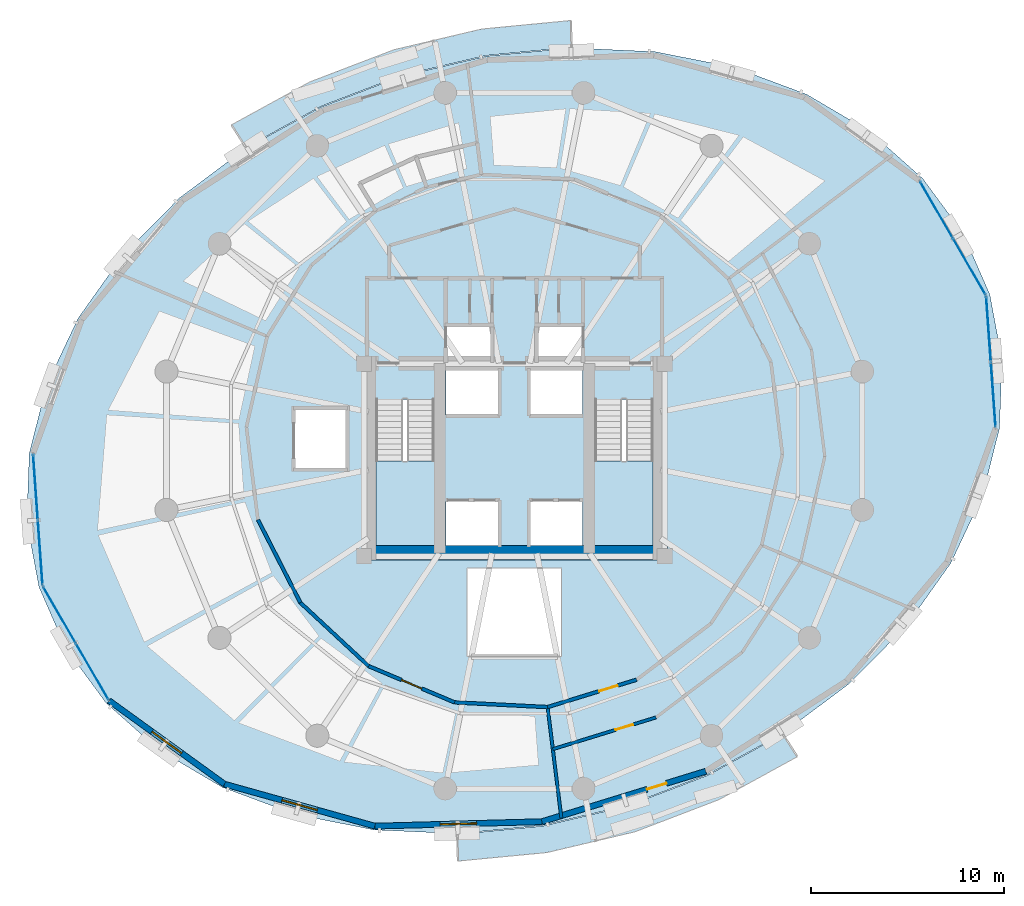
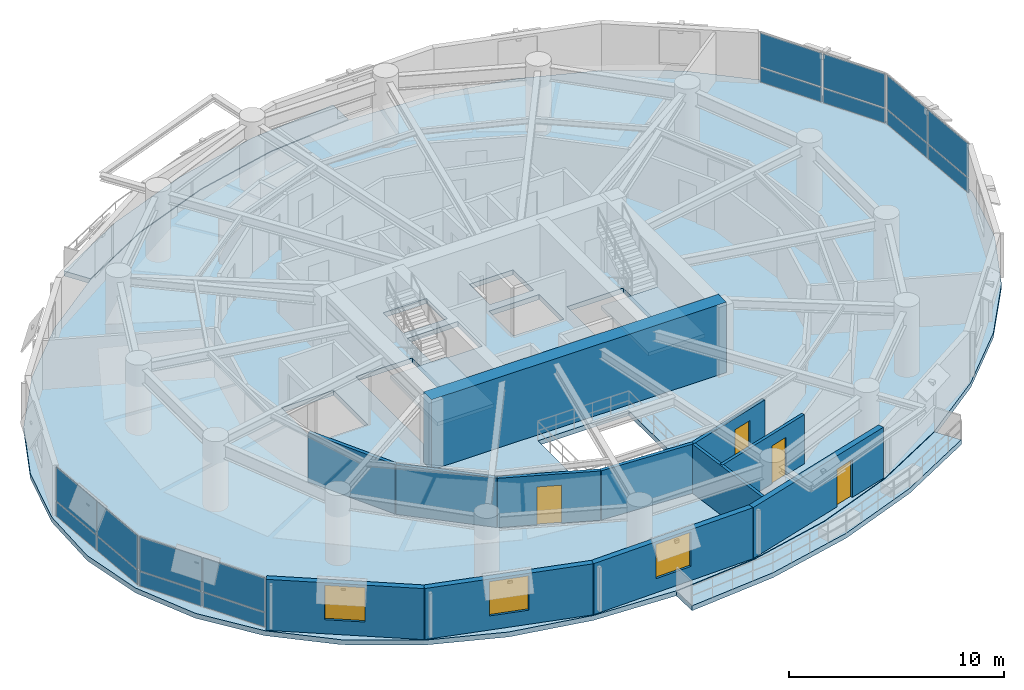
# One storey, part 9 of 15: 16 plates, 12 walls, 5 slabs, 4 doors, 3 windows, 7 openings, 6 elements without a shape of their own.
"""IFC4 building model written with IfcOpenShell, lengths in metres."""

from ifc_helpers import new_model, si_unit, direction, frame, frame_2d, origin, origin_2d, place, context, subcontext, project, spatial, polyline, rectangle, outline, extrude, material, layer, layer_set, type_object, element, fill, aggregate, save


model = new_model("IFC4")

# Units and contexts
model_context = context("Model", 3, precision=1e-05, world=origin(), true_north=direction((0.0, 1.0)))
body_context = subcontext(model_context, "Body", "Model", "MODEL_VIEW")
ifc_project = project(units=[si_unit("LENGTHUNIT", "METRE"), si_unit("AREAUNIT", "SQUARE_METRE"), si_unit("VOLUMEUNIT", "CUBIC_METRE"), si_unit("PLANEANGLEUNIT", "RADIAN"), si_unit("MASSUNIT", "GRAM", prefix="KILO"), si_unit("THERMODYNAMICTEMPERATUREUNIT", "KELVIN"), si_unit("POWERUNIT", "WATT")], contexts=[model_context])

# Site, building, storey
site_placement = place(None, origin())
site = spatial("IfcSite", under=ifc_project, at=site_placement, CompositionType="ELEMENT")
building_placement = place(site_placement, origin())
building = spatial("IfcBuilding", under=site, at=building_placement, Name="Ocrelia Relay Tower", CompositionType="ELEMENT")
storey_placement = place(building_placement, frame((0.0, 0.0, 105.800048828125)))
storey = spatial("IfcBuildingStorey", under=building, at=storey_placement, Name="L24", CompositionType="ELEMENT", Elevation=105.800048828125)

# Curtain wall, plates
ifc_material_1 = material(Name="Aluminium and solar-control low-E glass", Category="aluminium")
ifc_layer_1 = layer(ifc_material_1, 0.179931640625, Name="Aluminium and solar-control low-E glass")
ifc_layer_set_1 = layer_set([ifc_layer_1], Name="Aluminium and solar-control low-E glass")
curtain_wall_type = type_object("IfcCurtainWallType", Name="CW-SYS-Z2-SWIT", PredefinedType="NOTDEFINED", material=ifc_layer_set_1)
curtain_wall_1_placement = place(storey_placement, origin())
curtain_wall_1 = element("IfcCurtainWall", 1, at=curtain_wall_1_placement, inside=storey, type_object=curtain_wall_type, Name="L24 Elliptical Tower Curtain Wall Bay 01", PredefinedType="NOTDEFINED")
ifc_material_2 = material(Name="Clear double-glazed low-E glass", Category="glass")
ifc_layer_2 = layer(ifc_material_2, 0.031982421875, Name="Clear double-glazed low-E glass")
ifc_layer_set_2 = layer_set([ifc_layer_2], Name="Clear double-glazed low-E glass")
plate_type = type_object("IfcPlateType", Name="CW-SYS-Z2-SWIT-PNL", PredefinedType="CURTAIN_PANEL", material=ifc_layer_set_2)
plate_1_placement = place(storey_placement, frame((57.597900390625, 35.03076171875, 0.059814453125), z_axis=(0.0, 0.0, 1.0), x_axis=(-0.501042000832, 0.865422967919, 0.0)))
plate_1 = element("IfcPlate", 2, at=plate_1_placement, type_object=plate_type, Name="CW-Z2 panel 1.1", PredefinedType="CURTAIN_PANEL", context=body_context, shape_type="SweptSolid", body=[
    extrude(rectangle(XDim=3.33447265625, YDim=0.031982421875, at=origin_2d()), origin(), (0.0, 0.0, 1.0), 0.81005859375),
])
plate_2_placement = place(storey_placement, frame((57.597900390625, 35.03076171875, 0.93017578125), z_axis=(0.0, 0.0, 1.0), x_axis=(-0.501042000832, 0.865422967919, 0.0)))
plate_2 = element("IfcPlate", 3, at=plate_2_placement, type_object=plate_type, Name="CW-Z2 panel 1.2", PredefinedType="CURTAIN_PANEL", context=body_context, shape_type="SweptSolid", body=[
    extrude(rectangle(XDim=3.33447265625, YDim=0.031982421875, at=origin_2d()), origin(), (0.0, 0.0, 1.0), 1.909912109375),
])
plate_3_placement = place(storey_placement, frame((55.89208984375, 37.977294921875, 0.059814453125), z_axis=(0.0, 0.0, 1.0), x_axis=(-0.501042000832, 0.865422967919, 0.0)))
plate_3 = element("IfcPlate", 4, at=plate_3_placement, type_object=plate_type, Name="CW-Z2 panel 2.1", PredefinedType="CURTAIN_PANEL", context=body_context, shape_type="SweptSolid", body=[
    extrude(rectangle(XDim=3.33447265625, YDim=0.031982421875, at=origin_2d()), origin(), (0.0, 0.0, 1.0), 0.81005859375),
])
plate_4_placement = place(storey_placement, frame((55.89208984375, 37.977294921875, 0.93017578125), z_axis=(0.0, 0.0, 1.0), x_axis=(-0.501042000832, 0.865422967919, 0.0)))
plate_4 = element("IfcPlate", 5, at=plate_4_placement, type_object=plate_type, Name="CW-Z2 panel 2.2", PredefinedType="CURTAIN_PANEL", context=body_context, shape_type="SweptSolid", body=[
    extrude(rectangle(XDim=3.33447265625, YDim=0.031982421875, at=origin_2d()), origin(), (0.0, 0.0, 1.0), 1.909912109375),
])
aggregate(curtain_wall_1, [plate_1, plate_2, plate_3, plate_4])

curtain_wall_2_placement = place(storey_placement, origin())
curtain_wall_2 = element("IfcCurtainWall", 6, at=curtain_wall_2_placement, inside=storey, type_object=curtain_wall_type, Name="L24 Elliptical Tower Curtain Wall Bay 09", PredefinedType="NOTDEFINED")
plate_5_placement = place(storey_placement, frame((9.161376953125, 23.60107421875, 0.059814453125), z_axis=(0.0, 0.0, 1.0), x_axis=(0.072030099448, -0.997402458777, 0.0)))
plate_5 = element("IfcPlate", 7, at=plate_5_placement, type_object=plate_type, Name="CW-Z2 panel 1.1", PredefinedType="CURTAIN_PANEL", context=body_context, shape_type="SweptSolid", body=[
    extrude(rectangle(XDim=3.33447265625, YDim=0.031982421875, at=origin_2d()), origin(), (0.0, 0.0, 1.0), 0.81005859375),
])
plate_6_placement = place(storey_placement, frame((9.161376953125, 23.60107421875, 0.93017578125), z_axis=(0.0, 0.0, 1.0), x_axis=(0.072030099448, -0.997402458777, 0.0)))
plate_6 = element("IfcPlate", 8, at=plate_6_placement, type_object=plate_type, Name="CW-Z2 panel 1.2", PredefinedType="CURTAIN_PANEL", context=body_context, shape_type="SweptSolid", body=[
    extrude(rectangle(XDim=3.33447265625, YDim=0.031982421875, at=origin_2d()), origin(), (0.0, 0.0, 1.0), 1.909912109375),
])
plate_7_placement = place(storey_placement, frame((9.406494140625, 20.205322265625, 0.059814453125), z_axis=(0.0, 0.0, 1.0), x_axis=(0.072030099448, -0.997402458777, 0.0)))
plate_7 = element("IfcPlate", 9, at=plate_7_placement, type_object=plate_type, Name="CW-Z2 panel 2.1", PredefinedType="CURTAIN_PANEL", context=body_context, shape_type="SweptSolid", body=[
    extrude(rectangle(XDim=3.33447265625, YDim=0.031982421875, at=origin_2d()), origin(), (0.0, 0.0, 1.0), 0.81005859375),
])
plate_8_placement = place(storey_placement, frame((9.406494140625, 20.205322265625, 0.93017578125), z_axis=(0.0, 0.0, 1.0), x_axis=(0.072030099448, -0.997402458777, 0.0)))
plate_8 = element("IfcPlate", 10, at=plate_8_placement, type_object=plate_type, Name="CW-Z2 panel 2.2", PredefinedType="CURTAIN_PANEL", context=body_context, shape_type="SweptSolid", body=[
    extrude(rectangle(XDim=3.33447265625, YDim=0.031982421875, at=origin_2d()), origin(), (0.0, 0.0, 1.0), 1.909912109375),
])
aggregate(curtain_wall_2, [plate_5, plate_6, plate_7, plate_8])

curtain_wall_3_placement = place(storey_placement, origin())
curtain_wall_3 = element("IfcCurtainWall", 11, at=curtain_wall_3_placement, inside=storey, type_object=curtain_wall_type, Name="L24 Elliptical Tower Curtain Wall Bay 10", PredefinedType="NOTDEFINED")
plate_9_placement = place(storey_placement, frame((10.402099609375, 16.96923828125, 0.059814453125), z_axis=(0.0, 0.0, 1.0), x_axis=(0.501042000832, -0.865422967919, 0.0)))
plate_9 = element("IfcPlate", 12, at=plate_9_placement, type_object=plate_type, Name="CW-Z2 panel 1.1", PredefinedType="CURTAIN_PANEL", context=body_context, shape_type="SweptSolid", body=[
    extrude(rectangle(XDim=3.33447265625, YDim=0.031982421875, at=origin_2d()), origin(), (0.0, 0.0, 1.0), 0.81005859375),
])
plate_10_placement = place(storey_placement, frame((10.402099609375, 16.96923828125, 0.93017578125), z_axis=(0.0, 0.0, 1.0), x_axis=(0.501042000832, -0.865422967919, 0.0)))
plate_10 = element("IfcPlate", 13, at=plate_10_placement, type_object=plate_type, Name="CW-Z2 panel 1.2", PredefinedType="CURTAIN_PANEL", context=body_context, shape_type="SweptSolid", body=[
    extrude(rectangle(XDim=3.33447265625, YDim=0.031982421875, at=origin_2d()), origin(), (0.0, 0.0, 1.0), 1.909912109375),
])
plate_11_placement = place(storey_placement, frame((12.10791015625, 14.022705078125, 0.059814453125), z_axis=(0.0, 0.0, 1.0), x_axis=(0.501042000832, -0.865422967919, 0.0)))
plate_11 = element("IfcPlate", 14, at=plate_11_placement, type_object=plate_type, Name="CW-Z2 panel 2.1", PredefinedType="CURTAIN_PANEL", context=body_context, shape_type="SweptSolid", body=[
    extrude(rectangle(XDim=3.33447265625, YDim=0.031982421875, at=origin_2d()), origin(), (0.0, 0.0, 1.0), 0.81005859375),
])
plate_12_placement = place(storey_placement, frame((12.10791015625, 14.022705078125, 0.93017578125), z_axis=(0.0, 0.0, 1.0), x_axis=(0.501042000832, -0.865422967919, 0.0)))
plate_12 = element("IfcPlate", 15, at=plate_12_placement, type_object=plate_type, Name="CW-Z2 panel 2.2", PredefinedType="CURTAIN_PANEL", context=body_context, shape_type="SweptSolid", body=[
    extrude(rectangle(XDim=3.33447265625, YDim=0.031982421875, at=origin_2d()), origin(), (0.0, 0.0, 1.0), 1.909912109375),
])
aggregate(curtain_wall_3, [plate_9, plate_10, plate_11, plate_12])

curtain_wall_4_placement = place(storey_placement, origin())
curtain_wall_4 = element("IfcCurtainWall", 16, at=curtain_wall_4_placement, inside=storey, type_object=curtain_wall_type, Name="L24 Elliptical Tower Curtain Wall Bay 18", PredefinedType="NOTDEFINED")
plate_13_placement = place(storey_placement, frame((58.838623046875, 28.39892578125, 0.059814453125), z_axis=(0.0, 0.0, 1.0), x_axis=(-0.072030099448, 0.997402458777, 0.0)))
plate_13 = element("IfcPlate", 17, at=plate_13_placement, type_object=plate_type, Name="CW-Z2 panel 1.1", PredefinedType="CURTAIN_PANEL", context=body_context, shape_type="SweptSolid", body=[
    extrude(rectangle(XDim=3.33447265625, YDim=0.031982421875, at=origin_2d()), origin(), (0.0, 0.0, 1.0), 0.81005859375),
])
plate_14_placement = place(storey_placement, frame((58.838623046875, 28.39892578125, 0.93017578125), z_axis=(0.0, 0.0, 1.0), x_axis=(-0.072030099448, 0.997402458777, 0.0)))
plate_14 = element("IfcPlate", 18, at=plate_14_placement, type_object=plate_type, Name="CW-Z2 panel 1.2", PredefinedType="CURTAIN_PANEL", context=body_context, shape_type="SweptSolid", body=[
    extrude(rectangle(XDim=3.33447265625, YDim=0.031982421875, at=origin_2d()), origin(), (0.0, 0.0, 1.0), 1.909912109375),
])
plate_15_placement = place(storey_placement, frame((58.593505859375, 31.794677734375, 0.059814453125), z_axis=(0.0, 0.0, 1.0), x_axis=(-0.072030099448, 0.997402458777, 0.0)))
plate_15 = element("IfcPlate", 19, at=plate_15_placement, type_object=plate_type, Name="CW-Z2 panel 2.1", PredefinedType="CURTAIN_PANEL", context=body_context, shape_type="SweptSolid", body=[
    extrude(rectangle(XDim=3.33447265625, YDim=0.031982421875, at=origin_2d()), origin(), (0.0, 0.0, 1.0), 0.81005859375),
])
plate_16_placement = place(storey_placement, frame((58.593505859375, 31.794677734375, 0.93017578125), z_axis=(0.0, 0.0, 1.0), x_axis=(-0.072030099448, 0.997402458777, 0.0)))
plate_16 = element("IfcPlate", 20, at=plate_16_placement, type_object=plate_type, Name="CW-Z2 panel 2.2", PredefinedType="CURTAIN_PANEL", context=body_context, shape_type="SweptSolid", body=[
    extrude(rectangle(XDim=3.33447265625, YDim=0.031982421875, at=origin_2d()), origin(), (0.0, 0.0, 1.0), 1.909912109375),
])
aggregate(curtain_wall_4, [plate_13, plate_14, plate_15, plate_16])

# Slabs
ifc_material_3 = material(Name="Precast concrete C40/50", Category="concrete")
ifc_layer_3 = layer(ifc_material_3, 0.280029296875, Name="Precast concrete C40/50")
ifc_layer_set_3 = layer_set([ifc_layer_3], Name="Precast concrete C40/50")
slab_type_1 = type_object("IfcSlabType", Name="SL-BALC-280", PredefinedType="FLOOR", material=ifc_layer_set_3)
slab_1_placement = place(storey_placement, frame((0.0, 0.0, -0.280029296875)))
element("IfcSlab", 21, at=slab_1_placement, inside=storey, type_object=slab_type_1, Name="L24 Planted Loggia Balcony B1", PredefinedType="FLOOR", context=body_context, shape_type="SweptSolid", body=[
    extrude(outline(polyline([(36.96240234375, 46.408203125), (34.7529296875, 46.1962890625), (32.543701171875, 45.984130859375), (28.169189453125, 44.953369140625), (23.9716796875, 43.34716796875), (22.025390625, 42.28076171875), (20.078857421875, 41.214111328125), (19.324951171875, 42.385986328125), (21.355712890625, 43.498779296875), (23.38671875, 44.611572265625), (27.759521484375, 46.284912109375), (32.31689453125, 47.35888671875), (34.6220703125, 47.579833984375), (36.92724609375, 47.801025390625), (36.96240234375, 46.408203125)])), origin(), (0.0, 0.0, 1.0), 0.280029296875),
])
slab_2_placement = place(storey_placement, frame((0.0, 0.0, -0.280029296875)))
element("IfcSlab", 22, at=slab_2_placement, inside=storey, type_object=slab_type_1, Name="L24 Planted Loggia Balcony B2", PredefinedType="FLOOR", context=body_context, shape_type="SweptSolid", body=[
    extrude(outline(polyline([(31.03759765625, 5.591796875), (33.2470703125, 5.8037109375), (35.456298828125, 6.015869140625), (39.830810546875, 7.046630859375), (44.0283203125, 8.65283203125), (45.974609375, 9.71923828125), (47.921142578125, 10.785888671875), (48.675048828125, 9.614013671875), (46.644287109375, 8.501220703125), (44.61328125, 7.388427734375), (40.240478515625, 5.715087890625), (35.68310546875, 4.64111328125), (33.3779296875, 4.419921875), (31.07275390625, 4.198974609375), (31.03759765625, 5.591796875)])), origin(), (0.0, 0.0, 1.0), 0.280029296875),
])
ifc_material_4 = material(Name="Concrete C50/60", Category="concrete")
ifc_layer_4 = layer(ifc_material_4, 0.280029296875, Name="Concrete C50/60")
ifc_layer_set_4 = layer_set([ifc_layer_4], Name="Concrete C50/60")
slab_type_2 = type_object("IfcSlabType", Name="SL-FLR-280", PredefinedType="FLOOR", material=ifc_layer_set_4)
slab_3_placement = place(storey_placement, frame((0.0, 0.0, -0.280029296875)))
element("IfcSlab", 23, at=slab_3_placement, inside=storey, type_object=slab_type_2, Name="L24 Elliptical Tower Floor Slab", PredefinedType="FLOOR", context=body_context, shape_type="SweptSolid", body=[
    extrude(outline(polyline([(58.659423828125, 33.586181640625), (57.273681640625, 36.757080078125), (55.18115234375, 39.601318359375), (52.444580078125, 42.0322265625), (49.14794921875, 43.97607421875), (45.390869140625, 45.37353515625), (41.28759765625, 46.182373046875), (36.963134765625, 46.3779296875), (32.548583984375, 45.95458984375), (28.177978515625, 44.9248046875), (23.984375, 43.31982421875), (20.09521484375, 41.188720703125), (16.62841796875, 38.59619140625), (13.689208984375, 35.620849609375), (11.367431640625, 32.353271484375), (9.7333984375, 28.892578125), (8.83642578125, 25.343994140625), (8.7041015625, 21.815185546875), (9.340576171875, 18.413818359375), (10.726318359375, 15.242919921875), (12.81884765625, 12.398681640625), (15.555419921875, 9.9677734375), (18.85205078125, 8.02392578125), (22.609130859375, 6.62646484375), (26.71240234375, 5.817626953125), (31.036865234375, 5.6220703125), (35.451416015625, 6.04541015625), (39.822021484375, 7.0751953125), (44.015625, 8.68017578125), (47.90478515625, 10.811279296875), (51.37158203125, 13.40380859375), (54.310791015625, 16.379150390625), (56.632568359375, 19.646728515625), (58.2666015625, 23.107421875), (59.16357421875, 26.656005859375), (59.2958984375, 30.184814453125), (58.659423828125, 33.586181640625)]), holes=[polyline([(26.81005859375, 28.14990234375), (26.81005859375, 20.550048828125), (29.85009765625, 20.550048828125), (29.85009765625, 28.14990234375), (26.81005859375, 28.14990234375)]), polyline([(38.159912109375, 28.14990234375), (38.159912109375, 20.550048828125), (41.199951171875, 20.550048828125), (41.199951171875, 28.14990234375), (38.159912109375, 28.14990234375)]), polyline([(30.4599609375, 20.550048828125), (33.159912109375, 20.550048828125), (33.159912109375, 22.85009765625), (30.4599609375, 22.85009765625), (30.4599609375, 20.550048828125)]), polyline([(34.840087890625, 20.550048828125), (37.5400390625, 20.550048828125), (37.5400390625, 22.85009765625), (34.840087890625, 22.85009765625), (34.840087890625, 20.550048828125)]), polyline([(30.4599609375, 27.35009765625), (33.159912109375, 27.35009765625), (33.159912109375, 29.64990234375), (30.4599609375, 29.64990234375), (30.4599609375, 27.35009765625)]), polyline([(34.840087890625, 27.35009765625), (37.5400390625, 27.35009765625), (37.5400390625, 29.64990234375), (34.840087890625, 29.64990234375), (34.840087890625, 27.35009765625)]), polyline([(30.5, 30.10009765625), (32.85009765625, 30.10009765625), (32.85009765625, 32.0), (30.5, 32.0), (30.5, 30.10009765625)]), polyline([(35.14990234375, 30.10009765625), (37.5, 30.10009765625), (37.5, 32.0), (35.14990234375, 32.0), (35.14990234375, 30.10009765625)]), polyline([(22.550048828125, 24.5), (25.35009765625, 24.5), (25.35009765625, 27.699951171875), (22.550048828125, 27.699951171875), (22.550048828125, 24.5)]), polyline([(31.550048828125, 14.800048828125), (36.449951171875, 14.800048828125), (36.449951171875, 19.39990234375), (31.550048828125, 19.39990234375), (31.550048828125, 14.800048828125)])]), origin(), (0.0, 0.0, 1.0), 0.280029296875),
])

# Stair, slab
stair_type = type_object("IfcStairType", Name="ST-DL-1420-R167", PredefinedType="HALF_TURN_STAIR", material=ifc_material_4)
stair_1_placement = place(storey_placement, origin())
stair_1 = element("IfcStair", 24, at=stair_1_placement, inside=storey, type_object=stair_type, Name="L24 West Core Exit Stair ST1", PredefinedType="HALF_TURN_STAIR")
ifc_layer_5 = layer(ifc_material_4, 0.199951171875, Name="Concrete C50/60")
ifc_layer_set_5 = layer_set([ifc_layer_5], Name="Concrete C50/60")
slab_type_3 = type_object("IfcSlabType", Name="SL-LANDING-200", PredefinedType="LANDING", material=ifc_layer_set_5)
slab_4_placement = place(storey_placement, frame((0.0, 0.0, 1.800048828125)))
slab_4 = element("IfcSlab", 25, at=slab_4_placement, type_object=slab_type_3, Name="ST1 landing 1", PredefinedType="LANDING", context=body_context, shape_type="SweptSolid", body=[
    extrude(outline(polyline([(26.81005859375, 24.9599609375), (26.81005859375, 20.550048828125), (29.85009765625, 20.550048828125), (29.85009765625, 24.9599609375), (26.81005859375, 24.9599609375)])), origin(), (0.0, 0.0, 1.0), 0.199951171875),
])
aggregate(stair_1, [slab_4])

stair_2_placement = place(storey_placement, origin())
stair_2 = element("IfcStair", 26, at=stair_2_placement, inside=storey, type_object=stair_type, Name="L24 East Core Exit Stair ST2", PredefinedType="HALF_TURN_STAIR")
slab_5_placement = place(storey_placement, frame((0.0, 0.0, 1.800048828125)))
slab_5 = element("IfcSlab", 27, at=slab_5_placement, type_object=slab_type_3, Name="ST2 landing 1", PredefinedType="LANDING", context=body_context, shape_type="SweptSolid", body=[
    extrude(outline(polyline([(38.159912109375, 24.9599609375), (38.159912109375, 20.550048828125), (41.199951171875, 20.550048828125), (41.199951171875, 24.9599609375), (38.159912109375, 24.9599609375)])), origin(), (0.0, 0.0, 1.0), 0.199951171875),
])
aggregate(stair_2, [slab_5])

# Walls
ifc_material_5 = material(Name="Concrete C60/75", Category="concrete")
ifc_layer_6 = layer(ifc_material_5, 0.75, Name="Concrete C60/75")
ifc_layer_set_6 = layer_set([ifc_layer_6], Name="Concrete C60/75")
wall_type_1 = type_object("IfcWallType", Name="CW-CORE-750", PredefinedType="SHEAR", material=ifc_layer_set_6)
wall_1_placement = place(storey_placement, frame((26.072021484375, 20.18701171875, 0.0), z_axis=(0.0, 0.0, 1.0), x_axis=(1.0, 0.0, 0.0)))
element("IfcWall", 28, at=wall_1_placement, inside=storey, type_object=wall_type_1, Name="L24 Core Shear Wall S", PredefinedType="SHEAR", context=body_context, shape_type="SweptSolid", body=[
    extrude(rectangle(XDim=15.865966796875, YDim=0.75, at=frame_2d((7.93310546875, 0.0))), origin(), (0.0, 0.0, 1.0), 4.0),
])
ifc_material_6 = material(Name="Gypsum Fireboard Partition EI60", Category="gypsum")
ifc_layer_7 = layer(ifc_material_6, 0.179931640625, Name="Gypsum Fireboard Partition EI60")
ifc_layer_set_7 = layer_set([ifc_layer_7], Name="Gypsum Fireboard Partition EI60")
wall_type_2 = type_object("IfcWallType", Name="W-CORR-EI60-180", PredefinedType="PARTITIONING", material=ifc_layer_set_7)
wall_2_placement = place(storey_placement, frame((20.6953125, 21.906982421875, 0.0), z_axis=(0.0, 0.0, 1.0), x_axis=(0.455556779265, -0.890206729286, 0.0)))
element("IfcWall", 29, at=wall_2_placement, inside=storey, type_object=wall_type_2, Name="L24 Optical Switching Hall A Corridor Partition 3", PredefinedType="PARTITIONING", context=body_context, shape_type="SweptSolid", body=[
    extrude(rectangle(XDim=4.83447265625, YDim=0.179931640625, at=frame_2d((2.417236328125, 0.0))), origin(), (0.0, 0.0, 1.0), 2.800048828125),
])
wall_3_placement = place(storey_placement, frame((22.897705078125, 17.603271484375, 0.0), z_axis=(0.0, 0.0, 1.0), x_axis=(0.732539820955, -0.680724181086, 0.0)))
element("IfcWall", 30, at=wall_3_placement, inside=storey, type_object=wall_type_2, Name="L24 Optical Switching Hall A Corridor Partition 4", PredefinedType="PARTITIONING", context=body_context, shape_type="SweptSolid", body=[
    extrude(rectangle(XDim=4.834228515625, YDim=0.179931640625, at=frame_2d((2.4169921875, 0.0))), origin(), (0.0, 0.0, 1.0), 2.800048828125),
])

# Wall, opening, door
wall_4_placement = place(storey_placement, frame((26.43896484375, 14.3125, 0.0), z_axis=(0.0, 0.0, 1.0), x_axis=(0.92119083755, -0.389111090583, 0.0)))
wall_4 = element("IfcWall", 31, at=wall_4_placement, inside=storey, type_object=wall_type_2, Name="L24 Optical Switching Hall A Corridor Partition 5", PredefinedType="PARTITIONING", context=body_context, shape_type="SweptSolid", body=[
    extrude(rectangle(XDim=4.83447265625, YDim=0.179931640625, at=frame_2d((2.417236328125, 0.0))), origin(), (0.0, 0.0, 1.0), 2.800048828125),
])
opening_1_placement = place(wall_4_placement, frame((1.84228515625, 0.0, 0.0)))
opening_1 = element("IfcOpeningElement", 32, at=opening_1_placement, cuts=wall_4, Name="Opening D-RM115", PredefinedType="OPENING", context=body_context, shape_type="SweptSolid", body=[
    extrude(rectangle(XDim=1.14990234375, YDim=2.14990234375, at=frame_2d((0.574951171875, 1.074951171875))), frame((0.0, 0.10009765625, 0.0), z_axis=(0.0, -1.0, 0.0), x_axis=(1.0, 0.0, 0.0)), (0.0, 0.0, 1.0), 0.199951171875),
])
ifc_material_7 = material(Name="Wide acoustic oak veneer fire door", Category="wood")
door_type_1 = type_object("IfcDoorType", Name="DR-ROOM-1150", OperationType="NOTDEFINED", PredefinedType="DOOR", material=ifc_material_7)
door_1_placement = place(opening_1_placement, origin())
door_1 = element("IfcDoor", 33, at=door_1_placement, inside=storey, type_object=door_type_1, Name="L24 Optical Switching Hall A Entrance Door", OperationType="SINGLE_SWING_LEFT", OverallHeight=2.14990234375, OverallWidth=1.14990234375, PredefinedType="DOOR", context=body_context, shape_type="SweptSolid", body=[
    extrude(rectangle(XDim=1.14990234375, YDim=2.14990234375, at=frame_2d((0.574951171875, 1.074951171875))), frame((0.0, 0.02490234375, 0.0), z_axis=(0.0, -1.0, 0.0), x_axis=(1.0, 0.0, 0.0)), (0.0, 0.0, 1.0), 0.050048828125),
])
fill(opening_1, door_1)

# Wall
wall_5_placement = place(storey_placement, frame((30.892333984375, 12.431396484375, 0.0), z_axis=(0.0, 0.0, 1.0), x_axis=(0.998718869606, -0.050602564085, 0.0)))
element("IfcWall", 34, at=wall_5_placement, inside=storey, type_object=wall_type_2, Name="L24 Optical Switching Hall A Corridor Partition 6", PredefinedType="PARTITIONING", context=body_context, shape_type="SweptSolid", body=[
    extrude(rectangle(XDim=4.834228515625, YDim=0.179931640625, at=frame_2d((2.4169921875, 0.0))), origin(), (0.0, 0.0, 1.0), 2.800048828125),
])

# Wall, opening, door
wall_6_placement = place(storey_placement, frame((35.720458984375, 12.186767578125, 0.0), z_axis=(0.0, 0.0, 1.0), x_axis=(0.955803026892, 0.294007778442, 0.0)))
wall_6 = element("IfcWall", 35, at=wall_6_placement, inside=storey, type_object=wall_type_2, Name="L24 Routing Office C Corridor Partition 1", PredefinedType="PARTITIONING", context=body_context, shape_type="SweptSolid", body=[
    extrude(rectangle(XDim=4.83447265625, YDim=0.179931640625, at=frame_2d((2.417236328125, 0.0))), origin(), (0.0, 0.0, 1.0), 2.800048828125),
])
opening_2_placement = place(wall_6_placement, frame((2.80078125, 0.0, 0.0)))
opening_2 = element("IfcOpeningElement", 36, at=opening_2_placement, cuts=wall_6, Name="Opening D-RM100", PredefinedType="OPENING", context=body_context, shape_type="SweptSolid", body=[
    extrude(rectangle(XDim=1.0, YDim=2.14990234375, at=frame_2d((0.5, 1.074951171875))), frame((0.0, 0.10009765625, 0.0), z_axis=(0.0, -1.0, 0.0), x_axis=(1.0, 0.0, 0.0)), (0.0, 0.0, 1.0), 0.199951171875),
])
ifc_material_8 = material(Name="Acoustic oak veneer fire door", Category="wood")
door_type_2 = type_object("IfcDoorType", Name="DR-ROOM-FD60-1000", OperationType="NOTDEFINED", PredefinedType="DOOR", material=ifc_material_8)
door_2_placement = place(opening_2_placement, origin())
door_2 = element("IfcDoor", 37, at=door_2_placement, inside=storey, type_object=door_type_2, Name="L24 Routing Office C Entrance Door", OperationType="SINGLE_SWING_RIGHT", OverallHeight=2.14990234375, OverallWidth=1.0, PredefinedType="DOOR", context=body_context, shape_type="SweptSolid", body=[
    extrude(rectangle(XDim=1.0, YDim=2.14990234375, at=frame_2d((0.5, 1.074951171875))), frame((0.0, 0.02490234375, 0.0), z_axis=(0.0, -1.0, 0.0), x_axis=(1.0, 0.0, 0.0)), (0.0, 0.0, 1.0), 0.050048828125),
])
fill(opening_2, door_2)

# Wall, opening, window
ifc_material_9 = material(Name="Precast concrete C40/50 with oxide terracotta", Category="masonry")
ifc_layer_8 = layer(ifc_material_9, 0.300048828125, Name="Precast concrete C40/50 with oxide terracotta")
ifc_layer_set_8 = layer_set([ifc_layer_8], Name="Precast concrete C40/50 with oxide terracotta")
wall_type_3 = type_object("IfcWallType", Name="W-EXT-TERR-300", PredefinedType="SOLIDWALL", material=ifc_layer_set_8)
wall_7_placement = place(storey_placement, frame((12.978515625, 12.519287109375, 0.0), z_axis=(0.0, 0.0, 1.0), x_axis=(0.810233431566, -0.586107316431, 0.0)))
wall_7 = element("IfcWall", 38, at=wall_7_placement, inside=storey, type_object=wall_type_3, Name="L24 Oxide Terracotta Facade Wall 11", PredefinedType="SOLIDWALL", context=body_context, shape_type="SweptSolid", body=[
    extrude(rectangle(XDim=7.38330078125, YDim=0.300048828125, at=frame_2d((3.691650390625, 0.0))), origin(), (0.0, 0.0, 1.0), 2.89990234375),
])
opening_3_placement = place(wall_7_placement, frame((2.741943359375, 0.0, 0.800048828125)))
opening_3 = element("IfcOpeningElement", 39, at=opening_3_placement, cuts=wall_7, Name="Opening W-06", PredefinedType="OPENING", context=body_context, shape_type="SweptSolid", body=[
    extrude(rectangle(XDim=1.89990234375, YDim=1.949951171875, at=frame_2d((0.949951171875, 0.97509765625))), frame((0.0, 0.16015625, 0.0), z_axis=(0.0, -1.0, 0.0), x_axis=(1.0, 0.0, 0.0)), (0.0, 0.0, 1.0), 0.320068359375),
])
window_type = type_object("IfcWindowType", Name="WIN-Z2-1900x2100", PartitioningType="DOUBLE_PANEL_VERTICAL", PredefinedType="WINDOW", material=ifc_material_2)
window_1_placement = place(opening_3_placement, origin())
window_1 = element("IfcWindow", 40, at=window_1_placement, inside=storey, type_object=window_type, Name="L24 Facade Module Window 11", OverallHeight=1.949951171875, OverallWidth=1.89990234375, PartitioningType="SINGLE_PANEL", PredefinedType="WINDOW", context=body_context, shape_type="SweptSolid", body=[
    extrude(rectangle(XDim=1.89990234375, YDim=1.949951171875, at=frame_2d((0.949951171875, 0.97509765625))), frame((0.0, 0.030029296875, 0.0), z_axis=(0.0, -1.0, 0.0), x_axis=(1.0, 0.0, 0.0)), (0.0, 0.0, 1.0), 0.06005859375),
])
fill(opening_3, window_1)

wall_8_placement = place(storey_placement, frame((18.960693359375, 8.19189453125, 0.0), z_axis=(0.0, 0.0, 1.0), x_axis=(0.963083265721, -0.269203683645, 0.0)))
wall_8 = element("IfcWall", 41, at=wall_8_placement, inside=storey, type_object=wall_type_3, Name="L24 Oxide Terracotta Facade Wall 12", PredefinedType="SOLIDWALL", context=body_context, shape_type="SweptSolid", body=[
    extrude(rectangle(XDim=8.094970703125, YDim=0.300048828125, at=frame_2d((4.04736328125, 0.0))), origin(), (0.0, 0.0, 1.0), 2.89990234375),
])
opening_4_placement = place(wall_8_placement, frame((3.097900390625, 0.0, 0.800048828125)))
opening_4 = element("IfcOpeningElement", 42, at=opening_4_placement, cuts=wall_8, Name="Opening W-06", PredefinedType="OPENING", context=body_context, shape_type="SweptSolid", body=[
    extrude(rectangle(XDim=1.89990234375, YDim=1.949951171875, at=frame_2d((0.949951171875, 0.97509765625))), frame((0.0, 0.16015625, 0.0), z_axis=(0.0, -1.0, 0.0), x_axis=(1.0, 0.0, 0.0)), (0.0, 0.0, 1.0), 0.320068359375),
])
window_2_placement = place(opening_4_placement, origin())
window_2 = element("IfcWindow", 43, at=window_2_placement, inside=storey, type_object=window_type, Name="L24 Facade Module Window 12", OverallHeight=1.949951171875, OverallWidth=1.89990234375, PartitioningType="SINGLE_PANEL", PredefinedType="WINDOW", context=body_context, shape_type="SweptSolid", body=[
    extrude(rectangle(XDim=1.89990234375, YDim=1.949951171875, at=frame_2d((0.949951171875, 0.97509765625))), frame((0.0, 0.030029296875, 0.0), z_axis=(0.0, -1.0, 0.0), x_axis=(1.0, 0.0, 0.0)), (0.0, 0.0, 1.0), 0.06005859375),
])
fill(opening_4, window_2)

wall_9_placement = place(storey_placement, frame((26.7568359375, 6.0126953125, 0.0), z_axis=(0.0, 0.0, 1.0), x_axis=(0.99964462396, 0.026657565299, 0.0)))
wall_9 = element("IfcWall", 44, at=wall_9_placement, inside=storey, type_object=wall_type_3, Name="L24 Oxide Terracotta Facade Wall 13", PredefinedType="SOLIDWALL", context=body_context, shape_type="SweptSolid", body=[
    extrude(rectangle(XDim=8.673095703125, YDim=0.300048828125, at=frame_2d((4.33642578125, 0.0))), origin(), (0.0, 0.0, 1.0), 2.89990234375),
])
opening_5_placement = place(wall_9_placement, frame((3.385986328125, 0.0, 0.800048828125)))
opening_5 = element("IfcOpeningElement", 45, at=opening_5_placement, cuts=wall_9, Name="Opening W-06", PredefinedType="OPENING", context=body_context, shape_type="SweptSolid", body=[
    extrude(rectangle(XDim=1.89990234375, YDim=1.949951171875, at=frame_2d((0.949951171875, 0.97509765625))), frame((0.0, 0.16015625, 0.0), z_axis=(0.0, -1.0, 0.0), x_axis=(1.0, 0.0, 0.0)), (0.0, 0.0, 1.0), 0.320068359375),
])
window_3_placement = place(opening_5_placement, origin())
window_3 = element("IfcWindow", 46, at=window_3_placement, inside=storey, type_object=window_type, Name="L24 Facade Module Window 13", OverallHeight=1.949951171875, OverallWidth=1.89990234375, PartitioningType="SINGLE_PANEL", PredefinedType="WINDOW", context=body_context, shape_type="SweptSolid", body=[
    extrude(rectangle(XDim=1.89990234375, YDim=1.949951171875, at=frame_2d((0.949951171875, 0.97509765625))), frame((0.0, 0.030029296875, 0.0), z_axis=(0.0, -1.0, 0.0), x_axis=(1.0, 0.0, 0.0)), (0.0, 0.0, 1.0), 0.06005859375),
])
fill(opening_5, window_3)

# Wall, opening, door
wall_10_placement = place(storey_placement, frame((35.4267578125, 6.243896484375, 0.0), z_axis=(0.0, 0.0, 1.0), x_axis=(0.95579325701, 0.294039537911, 0.0)))
wall_10 = element("IfcWall", 47, at=wall_10_placement, inside=storey, type_object=wall_type_3, Name="L24 Oxide Terracotta Facade Wall 14", PredefinedType="SOLIDWALL", context=body_context, shape_type="SweptSolid", body=[
    extrude(rectangle(XDim=8.890869140625, YDim=0.300048828125, at=frame_2d((4.4453125, 0.0))), origin(), (0.0, 0.0, 1.0), 2.89990234375),
])
opening_6_placement = place(wall_10_placement, frame((5.7099609375, 0.0, 0.0)))
opening_6 = element("IfcOpeningElement", 48, at=opening_6_placement, cuts=wall_10, Name="Opening DB-105", PredefinedType="OPENING", context=body_context, shape_type="SweptSolid", body=[
    extrude(rectangle(XDim=1.050048828125, YDim=2.14990234375, at=frame_2d((0.52490234375, 1.074951171875))), frame((0.0, 0.16015625, 0.0), z_axis=(0.0, -1.0, 0.0), x_axis=(1.0, 0.0, 0.0)), (0.0, 0.0, 1.0), 0.320068359375),
])
ifc_material_10 = material(Name="Thermally broken aluminium and clear glass", Category="aluminium")
door_type_3 = type_object("IfcDoorType", Name="DR-BALC-1050", OperationType="NOTDEFINED", PredefinedType="DOOR", material=ifc_material_10)
door_3_placement = place(opening_6_placement, origin())
door_3 = element("IfcDoor", 49, at=door_3_placement, inside=storey, type_object=door_type_3, Name="L24 Planted Loggia Balcony Door B2", OperationType="SINGLE_SWING_LEFT", OverallHeight=2.14990234375, OverallWidth=1.050048828125, PredefinedType="DOOR", context=body_context, shape_type="SweptSolid", body=[
    extrude(rectangle(XDim=1.050048828125, YDim=2.14990234375, at=frame_2d((0.52490234375, 1.074951171875))), frame((0.0, 0.02490234375, 0.0), z_axis=(0.0, -1.0, 0.0), x_axis=(1.0, 0.0, 0.0)), (0.0, 0.0, 1.0), 0.050048828125),
])
fill(opening_6, door_3)

# Wall
ifc_material_11 = material(Name="Acoustic Fireboard Partition EI60", Category="gypsum")
ifc_layer_9 = layer(ifc_material_11, 0.159912109375, Name="Acoustic Fireboard Partition EI60")
ifc_layer_set_9 = layer_set([ifc_layer_9], Name="Acoustic Fireboard Partition EI60")
wall_type_4 = type_object("IfcWallType", Name="W-PART-160", PredefinedType="PARTITIONING", material=ifc_layer_set_9)
wall_11_placement = place(storey_placement, frame((35.720458984375, 12.186767578125, 0.0), z_axis=(0.0, 0.0, 1.0), x_axis=(0.123594630497, -0.992332790606, 0.0)))
element("IfcWall", 50, at=wall_11_placement, inside=storey, type_object=wall_type_4, Name="L24 Optical Switching Hall A Radial Partition", PredefinedType="PARTITIONING", context=body_context, shape_type="SweptSolid", body=[
    extrude(rectangle(XDim=5.803466796875, YDim=0.159912109375, at=frame_2d((2.90185546875, 0.0))), origin(), (0.0, 0.0, 1.0), 2.800048828125),
])

# Wall, opening, door
wall_12_placement = place(storey_placement, frame((35.992431640625, 10.003662109375, 0.0), z_axis=(0.0, 0.0, 1.0), x_axis=(0.955791265162, 0.294046012455, 0.0)))
wall_12 = element("IfcWall", 51, at=wall_12_placement, inside=storey, type_object=wall_type_4, Name="L24 Perimeter Routing Office C Mid-Ring Partition 1", PredefinedType="PARTITIONING", context=body_context, shape_type="SweptSolid", body=[
    extrude(rectangle(XDim=5.5986328125, YDim=0.159912109375, at=frame_2d((2.79931640625, 0.0))), origin(), (0.0, 0.0, 1.0), 2.800048828125),
])
opening_7_placement = place(wall_12_placement, frame((3.396240234375, 0.0, 0.0)))
opening_7 = element("IfcOpeningElement", 52, at=opening_7_placement, cuts=wall_12, Name="Opening D-RM95", PredefinedType="OPENING", context=body_context, shape_type="SweptSolid", body=[
    extrude(rectangle(XDim=0.949951171875, YDim=2.14990234375, at=frame_2d((0.47509765625, 1.074951171875))), frame((0.0, 0.08984375, 0.0), z_axis=(0.0, -1.0, 0.0), x_axis=(1.0, 0.0, 0.0)), (0.0, 0.0, 1.0), 0.179931640625),
])
door_type_4 = type_object("IfcDoorType", Name="DR-ROOM-950", OperationType="NOTDEFINED", PredefinedType="DOOR", material=ifc_material_8)
door_4_placement = place(opening_7_placement, origin())
door_4 = element("IfcDoor", 53, at=door_4_placement, inside=storey, type_object=door_type_4, Name="L24 Perimeter Routing Office C Connecting Door", OperationType="SINGLE_SWING_LEFT", OverallHeight=2.14990234375, OverallWidth=0.949951171875, PredefinedType="DOOR", context=body_context, shape_type="SweptSolid", body=[
    extrude(rectangle(XDim=0.949951171875, YDim=2.14990234375, at=frame_2d((0.47509765625, 1.074951171875))), frame((0.0, 0.02490234375, 0.0), z_axis=(0.0, -1.0, 0.0), x_axis=(1.0, 0.0, 0.0)), (0.0, 0.0, 1.0), 0.050048828125),
])
fill(opening_7, door_4)

save(model, "model.ifc")
